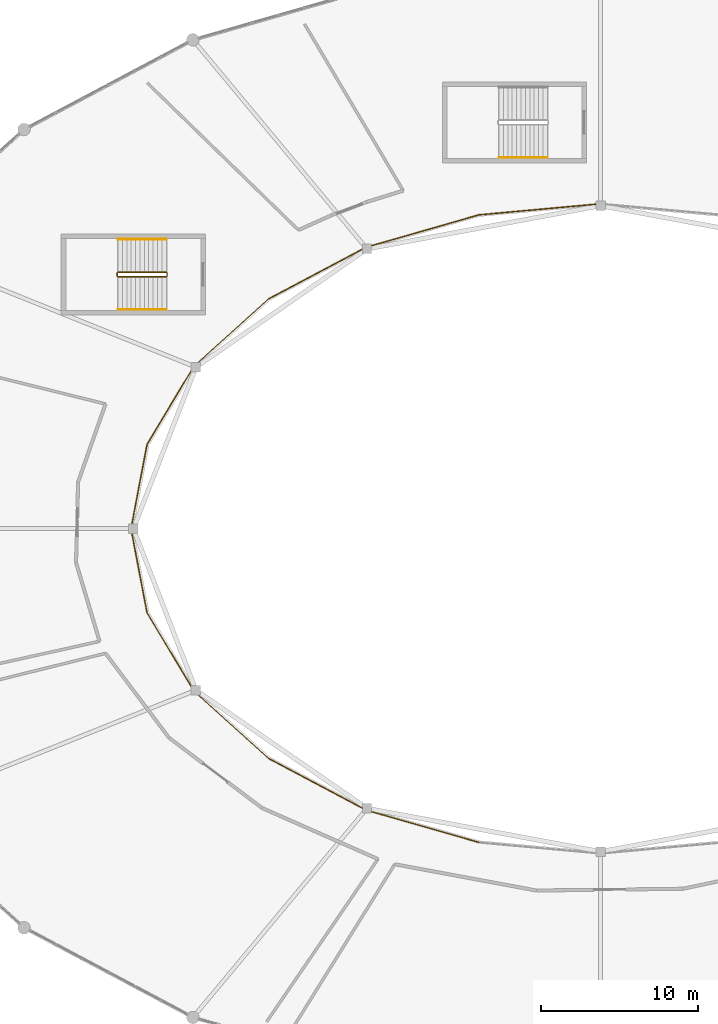
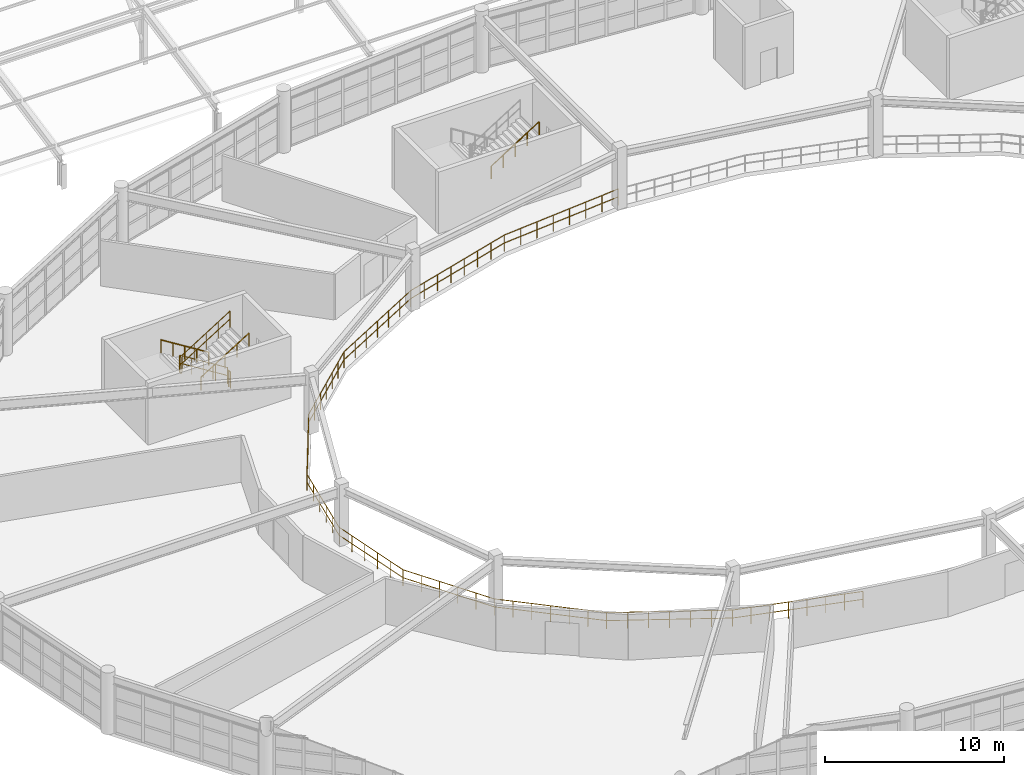
# One storey, part 91 of 100: 18 railings.
"""IFC4 building model written with IfcOpenShell, lengths in metres."""

from ifc_helpers import new_model, si_unit, direction, frame, origin, origin_2d, place, context, subcontext, project, spatial, circle, extrude, material, layer, layer_set, type_object, element, save


model = new_model("IFC4")

# Units and contexts
model_context = context("Model", 3, precision=1e-05, world=origin(), true_north=direction((0.0, 1.0)))
body_context = subcontext(model_context, "Body", "Model", "MODEL_VIEW")
ifc_project = project(units=[si_unit("LENGTHUNIT", "METRE"), si_unit("AREAUNIT", "SQUARE_METRE"), si_unit("VOLUMEUNIT", "CUBIC_METRE"), si_unit("PLANEANGLEUNIT", "RADIAN"), si_unit("MASSUNIT", "GRAM", prefix="KILO")], contexts=[model_context])

# Site, building, storey
site_placement = place(None, origin())
site = spatial("IfcSite", under=ifc_project, at=site_placement, CompositionType="ELEMENT")
building_placement = place(site_placement, origin())
building = spatial("IfcBuilding", under=site, at=building_placement, Name="Kivolera Central Railway Station", CompositionType="ELEMENT")
storey_placement = place(building_placement, frame((0.0, 0.0, 5.39990234375)))
storey = spatial("IfcBuildingStorey", under=building, at=storey_placement, Name="L01", CompositionType="ELEMENT", Elevation=5.39990234375)

# Railings
ifc_material = material(Name="Anodised aluminium", Category="aluminium")
ifc_layer_1 = layer(ifc_material, 0.048095703125, Name="Anodised aluminium")
ifc_layer_set_1 = layer_set([ifc_layer_1], Name="Anodised aluminium")
railing_type_1 = type_object("IfcRailingType", Name="RL-INT-BAL-1130", PredefinedType="BALUSTRADE", material=ifc_layer_set_1)
railing_1_placement = place(storey_placement, frame((64.0, 110.719970703125, 0.0)))
element("IfcRailing", 1, at=railing_1_placement, inside=storey, type_object=railing_type_1, Name="L01 Concourse Gallery Balustrade 07", PredefinedType="BALUSTRADE", context=body_context, shape_type="SweptSolid", body=[
    extrude(circle(Radius=0.02392578125, at=origin_2d()), frame((0.0, 0.0, 1.10595703125), z_axis=(-0.995877766971, -0.090705420197, 0.0), x_axis=(0.090705420197, -0.995877766971, 0.0)), (0.0, 0.0, 1.0), 7.783935546875),
    extrude(circle(Radius=0.02392578125, at=origin_2d()), frame((0.0, 0.0, 0.56494140625), z_axis=(-0.995877766971, -0.090705420197, 0.0), x_axis=(0.090705420197, -0.995877766971, 0.0)), (0.0, 0.0, 1.0), 7.783935546875),
    extrude(circle(Radius=0.02099609375, at=origin_2d()), origin(), (0.0, 0.0, 1.0), 1.081787109375),
    extrude(circle(Radius=0.02099609375, at=origin_2d()), frame((-1.107421875, -0.100830078125, 0.0)), (0.0, 0.0, 1.0), 1.081787109375),
    extrude(circle(Radius=0.02099609375, at=origin_2d()), frame((-2.21484375, -0.20166015625, 0.0)), (0.0, 0.0, 1.0), 1.081787109375),
    extrude(circle(Radius=0.02099609375, at=origin_2d()), frame((-3.322265625, -0.302490234375, 0.0)), (0.0, 0.0, 1.0), 1.081787109375),
    extrude(circle(Radius=0.02099609375, at=origin_2d()), frame((-4.4296875, -0.403564453125, 0.0)), (0.0, 0.0, 1.0), 1.081787109375),
    extrude(circle(Radius=0.02099609375, at=origin_2d()), frame((-5.537109375, -0.50439453125, 0.0)), (0.0, 0.0, 1.0), 1.081787109375),
    extrude(circle(Radius=0.02099609375, at=origin_2d()), frame((-6.64453125, -0.605224609375, 0.0)), (0.0, 0.0, 1.0), 1.081787109375),
    extrude(circle(Radius=0.02099609375, at=origin_2d()), frame((-7.751953125, -0.7060546875, 0.0)), (0.0, 0.0, 1.0), 1.081787109375),
])
railing_2_placement = place(storey_placement, frame((56.248046875, 110.013916015625, 0.0)))
element("IfcRailing", 2, at=railing_2_placement, inside=storey, type_object=railing_type_1, Name="L01 Concourse Gallery Balustrade 08", PredefinedType="BALUSTRADE", context=body_context, shape_type="SweptSolid", body=[
    extrude(circle(Radius=0.02392578125, at=origin_2d()), frame((0.0, 0.0, 1.10595703125), z_axis=(-0.961310313559, -0.275467749556, 0.0), x_axis=(0.275467749556, -0.961310313559, 0.0)), (0.0, 0.0, 1.0), 7.513916015625),
    extrude(circle(Radius=0.02392578125, at=origin_2d()), frame((0.0, 0.0, 0.56494140625), z_axis=(-0.961310313559, -0.275467749556, 0.0), x_axis=(0.275467749556, -0.961310313559, 0.0)), (0.0, 0.0, 1.0), 7.513916015625),
    extrude(circle(Radius=0.02099609375, at=origin_2d()), origin(), (0.0, 0.0, 1.0), 1.081787109375),
    extrude(circle(Radius=0.02099609375, at=origin_2d()), frame((-1.031982421875, -0.295654296875, 0.0)), (0.0, 0.0, 1.0), 1.081787109375),
    extrude(circle(Radius=0.02099609375, at=origin_2d()), frame((-2.063720703125, -0.59130859375, 0.0)), (0.0, 0.0, 1.0), 1.081787109375),
    extrude(circle(Radius=0.02099609375, at=origin_2d()), frame((-3.095703125, -0.886962890625, 0.0)), (0.0, 0.0, 1.0), 1.081787109375),
    extrude(circle(Radius=0.02099609375, at=origin_2d()), frame((-4.12744140625, -1.182861328125, 0.0)), (0.0, 0.0, 1.0), 1.081787109375),
    extrude(circle(Radius=0.02099609375, at=origin_2d()), frame((-5.159423828125, -1.478515625, 0.0)), (0.0, 0.0, 1.0), 1.081787109375),
    extrude(circle(Radius=0.02099609375, at=origin_2d()), frame((-6.191162109375, -1.774169921875, 0.0)), (0.0, 0.0, 1.0), 1.081787109375),
    extrude(circle(Radius=0.02099609375, at=origin_2d()), frame((-7.22314453125, -2.06982421875, 0.0)), (0.0, 0.0, 1.0), 1.081787109375),
])
railing_3_placement = place(storey_placement, frame((49.02490234375, 107.944091796875, 0.0)))
element("IfcRailing", 3, at=railing_3_placement, inside=storey, type_object=railing_type_1, Name="L01 Concourse Gallery Balustrade 09", PredefinedType="BALUSTRADE", context=body_context, shape_type="SweptSolid", body=[
    extrude(circle(Radius=0.02392578125, at=origin_2d()), frame((0.0, 0.0, 1.10595703125), z_axis=(-0.883237666535, -0.468925606482, 0.0), x_axis=(0.468925606482, -0.883237666535, 0.0)), (0.0, 0.0, 1.0), 7.02294921875),
    extrude(circle(Radius=0.02392578125, at=origin_2d()), frame((0.0, 0.0, 0.56494140625), z_axis=(-0.883237666535, -0.468925606482, 0.0), x_axis=(0.468925606482, -0.883237666535, 0.0)), (0.0, 0.0, 1.0), 7.02294921875),
    extrude(circle(Radius=0.02099609375, at=origin_2d()), origin(), (0.0, 0.0, 1.0), 1.081787109375),
    extrude(circle(Radius=0.02099609375, at=origin_2d()), frame((-1.03369140625, -0.548828125, 0.0)), (0.0, 0.0, 1.0), 1.081787109375),
    extrude(circle(Radius=0.02099609375, at=origin_2d()), frame((-2.067626953125, -1.09765625, 0.0)), (0.0, 0.0, 1.0), 1.081787109375),
    extrude(circle(Radius=0.02099609375, at=origin_2d()), frame((-3.1015625, -1.646484375, 0.0)), (0.0, 0.0, 1.0), 1.081787109375),
    extrude(circle(Radius=0.02099609375, at=origin_2d()), frame((-4.13525390625, -2.195556640625, 0.0)), (0.0, 0.0, 1.0), 1.081787109375),
    extrude(circle(Radius=0.02099609375, at=origin_2d()), frame((-5.1689453125, -2.744384765625, 0.0)), (0.0, 0.0, 1.0), 1.081787109375),
    extrude(circle(Radius=0.02099609375, at=origin_2d()), frame((-6.202880859375, -3.293212890625, 0.0)), (0.0, 0.0, 1.0), 1.081787109375),
])
railing_4_placement = place(storey_placement, frame((42.822021484375, 104.65087890625, 0.0)))
element("IfcRailing", 4, at=railing_4_placement, inside=storey, type_object=railing_type_1, Name="L01 Concourse Gallery Balustrade 10", PredefinedType="BALUSTRADE", context=body_context, shape_type="SweptSolid", body=[
    extrude(circle(Radius=0.02392578125, at=origin_2d()), frame((0.0, 0.0, 1.10595703125), z_axis=(-0.742700869482, -0.669623340745, 0.0), x_axis=(0.669623340745, -0.742700869482, 0.0)), (0.0, 0.0, 1.0), 6.40771484375),
    extrude(circle(Radius=0.02392578125, at=origin_2d()), frame((0.0, 0.0, 0.56494140625), z_axis=(-0.742700869482, -0.669623340745, 0.0), x_axis=(0.669623340745, -0.742700869482, 0.0)), (0.0, 0.0, 1.0), 6.40771484375),
    extrude(circle(Radius=0.02099609375, at=origin_2d()), origin(), (0.0, 0.0, 1.0), 1.081787109375),
    extrude(circle(Radius=0.02099609375, at=origin_2d()), frame((-0.793212890625, -0.715087890625, 0.0)), (0.0, 0.0, 1.0), 1.081787109375),
    extrude(circle(Radius=0.02099609375, at=origin_2d()), frame((-1.58642578125, -1.43017578125, 0.0)), (0.0, 0.0, 1.0), 1.081787109375),
    extrude(circle(Radius=0.02099609375, at=origin_2d()), frame((-2.37939453125, -2.1455078125, 0.0)), (0.0, 0.0, 1.0), 1.081787109375),
    extrude(circle(Radius=0.02099609375, at=origin_2d()), frame((-3.172607421875, -2.860595703125, 0.0)), (0.0, 0.0, 1.0), 1.081787109375),
    extrude(circle(Radius=0.02099609375, at=origin_2d()), frame((-3.9658203125, -3.57568359375, 0.0)), (0.0, 0.0, 1.0), 1.081787109375),
    extrude(circle(Radius=0.02099609375, at=origin_2d()), frame((-4.759033203125, -4.290771484375, 0.0)), (0.0, 0.0, 1.0), 1.081787109375),
])
railing_5_placement = place(storey_placement, frame((38.06298828125, 100.360107421875, 0.0)))
element("IfcRailing", 5, at=railing_5_placement, inside=storey, type_object=railing_type_1, Name="L01 Concourse Gallery Balustrade 11", PredefinedType="BALUSTRADE", context=body_context, shape_type="SweptSolid", body=[
    extrude(circle(Radius=0.02392578125, at=origin_2d()), frame((0.0, 0.0, 1.10595703125), z_axis=(-0.513700332444, -0.857969678046, 0.0), x_axis=(0.857969678046, -0.513700332444, 0.0)), (0.0, 0.0, 1.0), 5.82421875),
    extrude(circle(Radius=0.02392578125, at=origin_2d()), frame((0.0, 0.0, 0.56494140625), z_axis=(-0.513700332444, -0.857969678046, 0.0), x_axis=(0.857969678046, -0.513700332444, 0.0)), (0.0, 0.0, 1.0), 5.82421875),
    extrude(circle(Radius=0.02099609375, at=origin_2d()), origin(), (0.0, 0.0, 1.0), 1.081787109375),
    extrude(circle(Radius=0.02099609375, at=origin_2d()), frame((-0.598388671875, -0.99951171875, 0.0)), (0.0, 0.0, 1.0), 1.081787109375),
    extrude(circle(Radius=0.02099609375, at=origin_2d()), frame((-1.19677734375, -1.998779296875, 0.0)), (0.0, 0.0, 1.0), 1.081787109375),
    extrude(circle(Radius=0.02099609375, at=origin_2d()), frame((-1.795166015625, -2.998291015625, 0.0)), (0.0, 0.0, 1.0), 1.081787109375),
    extrude(circle(Radius=0.02099609375, at=origin_2d()), frame((-2.3935546875, -3.99755859375, 0.0)), (0.0, 0.0, 1.0), 1.081787109375),
    extrude(circle(Radius=0.02099609375, at=origin_2d()), frame((-2.991943359375, -4.9970703125, 0.0)), (0.0, 0.0, 1.0), 1.081787109375),
])
railing_6_placement = place(storey_placement, frame((35.071044921875, 95.363037109375, 0.0)))
element("IfcRailing", 6, at=railing_6_placement, inside=storey, type_object=railing_type_1, Name="L01 Concourse Gallery Balustrade 12", PredefinedType="BALUSTRADE", context=body_context, shape_type="SweptSolid", body=[
    extrude(circle(Radius=0.02392578125, at=origin_2d()), frame((0.0, 0.0, 1.10595703125), z_axis=(-0.187017579272, -0.98235656716, 0.0), x_axis=(0.98235656716, -0.187017579272, 0.0)), (0.0, 0.0, 1.0), 5.45947265625),
    extrude(circle(Radius=0.02392578125, at=origin_2d()), frame((0.0, 0.0, 0.56494140625), z_axis=(-0.187017579272, -0.98235656716, 0.0), x_axis=(0.98235656716, -0.187017579272, 0.0)), (0.0, 0.0, 1.0), 5.45947265625),
    extrude(circle(Radius=0.02099609375, at=origin_2d()), origin(), (0.0, 0.0, 1.0), 1.081787109375),
    extrude(circle(Radius=0.02099609375, at=origin_2d()), frame((-0.2041015625, -1.072509765625, 0.0)), (0.0, 0.0, 1.0), 1.081787109375),
    extrude(circle(Radius=0.02099609375, at=origin_2d()), frame((-0.408447265625, -2.145263671875, 0.0)), (0.0, 0.0, 1.0), 1.081787109375),
    extrude(circle(Radius=0.02099609375, at=origin_2d()), frame((-0.612548828125, -3.2177734375, 0.0)), (0.0, 0.0, 1.0), 1.081787109375),
    extrude(circle(Radius=0.02099609375, at=origin_2d()), frame((-0.81689453125, -4.29052734375, 0.0)), (0.0, 0.0, 1.0), 1.081787109375),
    extrude(circle(Radius=0.02099609375, at=origin_2d()), frame((-1.02099609375, -5.363037109375, 0.0)), (0.0, 0.0, 1.0), 1.081787109375),
])
railing_7_placement = place(storey_placement, frame((34.050048828125, 90.0, 0.0)))
element("IfcRailing", 7, at=railing_7_placement, inside=storey, type_object=railing_type_1, Name="L01 Concourse Gallery Balustrade 13", PredefinedType="BALUSTRADE", context=body_context, shape_type="SweptSolid", body=[
    extrude(circle(Radius=0.02392578125, at=origin_2d()), frame((0.0, 0.0, 1.10595703125), z_axis=(0.187017579272, -0.98235656716, 0.0), x_axis=(0.98235656716, 0.187017579272, 0.0)), (0.0, 0.0, 1.0), 5.45947265625),
    extrude(circle(Radius=0.02392578125, at=origin_2d()), frame((0.0, 0.0, 0.56494140625), z_axis=(0.187017579272, -0.98235656716, 0.0), x_axis=(0.98235656716, 0.187017579272, 0.0)), (0.0, 0.0, 1.0), 5.45947265625),
    extrude(circle(Radius=0.02099609375, at=origin_2d()), origin(), (0.0, 0.0, 1.0), 1.081787109375),
    extrude(circle(Radius=0.02099609375, at=origin_2d()), frame((0.2041015625, -1.072509765625, 0.0)), (0.0, 0.0, 1.0), 1.081787109375),
    extrude(circle(Radius=0.02099609375, at=origin_2d()), frame((0.408447265625, -2.145263671875, 0.0)), (0.0, 0.0, 1.0), 1.081787109375),
    extrude(circle(Radius=0.02099609375, at=origin_2d()), frame((0.612548828125, -3.2177734375, 0.0)), (0.0, 0.0, 1.0), 1.081787109375),
    extrude(circle(Radius=0.02099609375, at=origin_2d()), frame((0.81689453125, -4.29052734375, 0.0)), (0.0, 0.0, 1.0), 1.081787109375),
    extrude(circle(Radius=0.02099609375, at=origin_2d()), frame((1.02099609375, -5.363037109375, 0.0)), (0.0, 0.0, 1.0), 1.081787109375),
])
railing_8_placement = place(storey_placement, frame((35.071044921875, 84.636962890625, 0.0)))
element("IfcRailing", 8, at=railing_8_placement, inside=storey, type_object=railing_type_1, Name="L01 Concourse Gallery Balustrade 14", PredefinedType="BALUSTRADE", context=body_context, shape_type="SweptSolid", body=[
    extrude(circle(Radius=0.02392578125, at=origin_2d()), frame((0.0, 0.0, 1.10595703125), z_axis=(0.513700332444, -0.857969678046, 0.0), x_axis=(0.857969678046, 0.513700332444, 0.0)), (0.0, 0.0, 1.0), 5.82421875),
    extrude(circle(Radius=0.02392578125, at=origin_2d()), frame((0.0, 0.0, 0.56494140625), z_axis=(0.513700332444, -0.857969678046, 0.0), x_axis=(0.857969678046, 0.513700332444, 0.0)), (0.0, 0.0, 1.0), 5.82421875),
    extrude(circle(Radius=0.02099609375, at=origin_2d()), origin(), (0.0, 0.0, 1.0), 1.081787109375),
    extrude(circle(Radius=0.02099609375, at=origin_2d()), frame((0.598388671875, -0.99951171875, 0.0)), (0.0, 0.0, 1.0), 1.081787109375),
    extrude(circle(Radius=0.02099609375, at=origin_2d()), frame((1.19677734375, -1.998779296875, 0.0)), (0.0, 0.0, 1.0), 1.081787109375),
    extrude(circle(Radius=0.02099609375, at=origin_2d()), frame((1.795166015625, -2.998291015625, 0.0)), (0.0, 0.0, 1.0), 1.081787109375),
    extrude(circle(Radius=0.02099609375, at=origin_2d()), frame((2.3935546875, -3.99755859375, 0.0)), (0.0, 0.0, 1.0), 1.081787109375),
    extrude(circle(Radius=0.02099609375, at=origin_2d()), frame((2.991943359375, -4.9970703125, 0.0)), (0.0, 0.0, 1.0), 1.081787109375),
])
railing_9_placement = place(storey_placement, frame((38.06298828125, 79.639892578125, 0.0)))
element("IfcRailing", 9, at=railing_9_placement, inside=storey, type_object=railing_type_1, Name="L01 Concourse Gallery Balustrade 15", PredefinedType="BALUSTRADE", context=body_context, shape_type="SweptSolid", body=[
    extrude(circle(Radius=0.02392578125, at=origin_2d()), frame((0.0, 0.0, 1.10595703125), z_axis=(0.742700869482, -0.669623340745, 0.0), x_axis=(0.669623340745, 0.742700869482, 0.0)), (0.0, 0.0, 1.0), 6.40771484375),
    extrude(circle(Radius=0.02392578125, at=origin_2d()), frame((0.0, 0.0, 0.56494140625), z_axis=(0.742700869482, -0.669623340745, 0.0), x_axis=(0.669623340745, 0.742700869482, 0.0)), (0.0, 0.0, 1.0), 6.40771484375),
    extrude(circle(Radius=0.02099609375, at=origin_2d()), origin(), (0.0, 0.0, 1.0), 1.081787109375),
    extrude(circle(Radius=0.02099609375, at=origin_2d()), frame((0.793212890625, -0.715087890625, 0.0)), (0.0, 0.0, 1.0), 1.081787109375),
    extrude(circle(Radius=0.02099609375, at=origin_2d()), frame((1.58642578125, -1.43017578125, 0.0)), (0.0, 0.0, 1.0), 1.081787109375),
    extrude(circle(Radius=0.02099609375, at=origin_2d()), frame((2.37939453125, -2.1455078125, 0.0)), (0.0, 0.0, 1.0), 1.081787109375),
    extrude(circle(Radius=0.02099609375, at=origin_2d()), frame((3.172607421875, -2.860595703125, 0.0)), (0.0, 0.0, 1.0), 1.081787109375),
    extrude(circle(Radius=0.02099609375, at=origin_2d()), frame((3.9658203125, -3.57568359375, 0.0)), (0.0, 0.0, 1.0), 1.081787109375),
    extrude(circle(Radius=0.02099609375, at=origin_2d()), frame((4.759033203125, -4.290771484375, 0.0)), (0.0, 0.0, 1.0), 1.081787109375),
])
railing_10_placement = place(storey_placement, frame((42.822021484375, 75.34912109375, 0.0)))
element("IfcRailing", 10, at=railing_10_placement, inside=storey, type_object=railing_type_1, Name="L01 Concourse Gallery Balustrade 16", PredefinedType="BALUSTRADE", context=body_context, shape_type="SweptSolid", body=[
    extrude(circle(Radius=0.02392578125, at=origin_2d()), frame((0.0, 0.0, 1.10595703125), z_axis=(0.883237666535, -0.468925606482, 0.0), x_axis=(0.468925606482, 0.883237666535, 0.0)), (0.0, 0.0, 1.0), 7.02294921875),
    extrude(circle(Radius=0.02392578125, at=origin_2d()), frame((0.0, 0.0, 0.56494140625), z_axis=(0.883237666535, -0.468925606482, 0.0), x_axis=(0.468925606482, 0.883237666535, 0.0)), (0.0, 0.0, 1.0), 7.02294921875),
    extrude(circle(Radius=0.02099609375, at=origin_2d()), origin(), (0.0, 0.0, 1.0), 1.081787109375),
    extrude(circle(Radius=0.02099609375, at=origin_2d()), frame((1.03369140625, -0.548828125, 0.0)), (0.0, 0.0, 1.0), 1.081787109375),
    extrude(circle(Radius=0.02099609375, at=origin_2d()), frame((2.067626953125, -1.09765625, 0.0)), (0.0, 0.0, 1.0), 1.081787109375),
    extrude(circle(Radius=0.02099609375, at=origin_2d()), frame((3.1015625, -1.646484375, 0.0)), (0.0, 0.0, 1.0), 1.081787109375),
    extrude(circle(Radius=0.02099609375, at=origin_2d()), frame((4.13525390625, -2.195556640625, 0.0)), (0.0, 0.0, 1.0), 1.081787109375),
    extrude(circle(Radius=0.02099609375, at=origin_2d()), frame((5.1689453125, -2.744384765625, 0.0)), (0.0, 0.0, 1.0), 1.081787109375),
    extrude(circle(Radius=0.02099609375, at=origin_2d()), frame((6.202880859375, -3.293212890625, 0.0)), (0.0, 0.0, 1.0), 1.081787109375),
])
railing_11_placement = place(storey_placement, frame((49.02490234375, 72.055908203125, 0.0)))
element("IfcRailing", 11, at=railing_11_placement, inside=storey, type_object=railing_type_1, Name="L01 Concourse Gallery Balustrade 17", PredefinedType="BALUSTRADE", context=body_context, shape_type="SweptSolid", body=[
    extrude(circle(Radius=0.02392578125, at=origin_2d()), frame((0.0, 0.0, 1.10595703125), z_axis=(0.961310313559, -0.275467749556, 0.0), x_axis=(0.275467749556, 0.961310313559, 0.0)), (0.0, 0.0, 1.0), 7.513916015625),
    extrude(circle(Radius=0.02392578125, at=origin_2d()), frame((0.0, 0.0, 0.56494140625), z_axis=(0.961310313559, -0.275467749556, 0.0), x_axis=(0.275467749556, 0.961310313559, 0.0)), (0.0, 0.0, 1.0), 7.513916015625),
    extrude(circle(Radius=0.02099609375, at=origin_2d()), origin(), (0.0, 0.0, 1.0), 1.081787109375),
    extrude(circle(Radius=0.02099609375, at=origin_2d()), frame((1.031982421875, -0.295654296875, 0.0)), (0.0, 0.0, 1.0), 1.081787109375),
    extrude(circle(Radius=0.02099609375, at=origin_2d()), frame((2.063720703125, -0.59130859375, 0.0)), (0.0, 0.0, 1.0), 1.081787109375),
    extrude(circle(Radius=0.02099609375, at=origin_2d()), frame((3.095703125, -0.886962890625, 0.0)), (0.0, 0.0, 1.0), 1.081787109375),
    extrude(circle(Radius=0.02099609375, at=origin_2d()), frame((4.12744140625, -1.182861328125, 0.0)), (0.0, 0.0, 1.0), 1.081787109375),
    extrude(circle(Radius=0.02099609375, at=origin_2d()), frame((5.159423828125, -1.478515625, 0.0)), (0.0, 0.0, 1.0), 1.081787109375),
    extrude(circle(Radius=0.02099609375, at=origin_2d()), frame((6.191162109375, -1.774169921875, 0.0)), (0.0, 0.0, 1.0), 1.081787109375),
    extrude(circle(Radius=0.02099609375, at=origin_2d()), frame((7.22314453125, -2.06982421875, 0.0)), (0.0, 0.0, 1.0), 1.081787109375),
])
ifc_layer_2 = layer(ifc_material, 0.048095703125, Name="Anodised aluminium")
ifc_layer_set_2 = layer_set([ifc_layer_2], Name="Anodised aluminium")
railing_type_2 = type_object("IfcRailingType", Name="RL-STAIR-GUARD", PredefinedType="GUARDRAIL", material=ifc_layer_set_2)
railing_12_placement = place(storey_placement, frame((36.300048828125, 106.35009765625, 0.175048828125)))
element("IfcRailing", 12, at=railing_12_placement, inside=storey, type_object=railing_type_2, Name="L01 ST6 stair guard 1", PredefinedType="GUARDRAIL", context=body_context, shape_type="SweptSolid", body=[
    extrude(circle(Radius=0.02392578125, at=origin_2d()), frame((0.0, 0.0, 1.10595703125), z_axis=(-0.847998304005, 0.0, 0.529998940003), x_axis=(0.0, -1.0, 0.0)), (0.0, 0.0, 1.0), 3.632080078125),
    extrude(circle(Radius=0.02392578125, at=origin_2d()), frame((0.0, 0.0, 0.56494140625), z_axis=(-0.847998304005, 0.0, 0.529998940003), x_axis=(0.0, -1.0, 0.0)), (0.0, 0.0, 1.0), 3.632080078125),
    extrude(circle(Radius=0.02099609375, at=origin_2d()), origin(), (0.0, 0.0, 1.0), 1.081787109375),
    extrude(circle(Radius=0.02099609375, at=origin_2d()), frame((-0.77001953125, 0.0, 0.481201171875)), (0.0, 0.0, 1.0), 1.081787109375),
    extrude(circle(Radius=0.02099609375, at=origin_2d()), frame((-1.5400390625, 0.0, 0.96240234375)), (0.0, 0.0, 1.0), 1.081787109375),
    extrude(circle(Radius=0.02099609375, at=origin_2d()), frame((-2.31005859375, 0.0, 1.44384765625)), (0.0, 0.0, 1.0), 1.081787109375),
    extrude(circle(Radius=0.02099609375, at=origin_2d()), frame((-3.080078125, 0.0, 1.925048828125)), (0.0, 0.0, 1.0), 1.081787109375),
])
railing_13_placement = place(storey_placement, frame((33.169921875, 106.300048828125, 2.10009765625)))
element("IfcRailing", 13, at=railing_13_placement, inside=storey, type_object=railing_type_2, Name="L01 ST6 stair guard 2", PredefinedType="GUARDRAIL", context=body_context, shape_type="SweptSolid", body=[
    extrude(circle(Radius=0.02392578125, at=origin_2d()), frame((0.0, 0.0, 1.10595703125), z_axis=(0.0, -1.0, 0.0), x_axis=(1.0, 0.0, 0.0)), (0.0, 0.0, 1.0), 0.179931640625),
    extrude(circle(Radius=0.02392578125, at=origin_2d()), frame((0.0, 0.0, 0.56494140625), z_axis=(0.0, -1.0, 0.0), x_axis=(1.0, 0.0, 0.0)), (0.0, 0.0, 1.0), 0.179931640625),
    extrude(circle(Radius=0.02099609375, at=origin_2d()), origin(), (0.0, 0.0, 1.0), 1.081787109375),
    extrude(circle(Radius=0.02099609375, at=origin_2d()), frame((0.0, -0.179931640625, 0.0)), (0.0, 0.0, 1.0), 1.081787109375),
])
railing_14_placement = place(storey_placement, frame((33.219970703125, 106.070068359375, 2.275146484375)))
element("IfcRailing", 14, at=railing_14_placement, inside=storey, type_object=railing_type_2, Name="L01 ST6 stair guard 3", PredefinedType="GUARDRAIL", context=body_context, shape_type="SweptSolid", body=[
    extrude(circle(Radius=0.02392578125, at=origin_2d()), frame((0.0, 0.0, 1.10595703125), z_axis=(0.847998304005, 0.0, 0.529998940003), x_axis=(0.0, 1.0, 0.0)), (0.0, 0.0, 1.0), 3.632080078125),
    extrude(circle(Radius=0.02392578125, at=origin_2d()), frame((0.0, 0.0, 0.56494140625), z_axis=(0.847998304005, 0.0, 0.529998940003), x_axis=(0.0, 1.0, 0.0)), (0.0, 0.0, 1.0), 3.632080078125),
    extrude(circle(Radius=0.02099609375, at=origin_2d()), origin(), (0.0, 0.0, 1.0), 1.081787109375),
    extrude(circle(Radius=0.02099609375, at=origin_2d()), frame((0.77001953125, 0.0, 0.481201171875)), (0.0, 0.0, 1.0), 1.081787109375),
    extrude(circle(Radius=0.02099609375, at=origin_2d()), frame((1.5400390625, 0.0, 0.96240234375)), (0.0, 0.0, 1.0), 1.081787109375),
    extrude(circle(Radius=0.02099609375, at=origin_2d()), frame((2.31005859375, 0.0, 1.44384765625)), (0.0, 0.0, 1.0), 1.081787109375),
    extrude(circle(Radius=0.02099609375, at=origin_2d()), frame((3.080078125, 0.0, 1.925048828125)), (0.0, 0.0, 1.0), 1.081787109375),
])
railing_15_placement = place(storey_placement, frame((36.35009765625, 106.300048828125, 0.0)))
element("IfcRailing", 15, at=railing_15_placement, inside=storey, type_object=railing_type_2, Name="L01 ST6 stair guard 4", PredefinedType="GUARDRAIL", context=body_context, shape_type="SweptSolid", body=[
    extrude(circle(Radius=0.02392578125, at=origin_2d()), frame((0.0, 0.0, 1.10595703125), z_axis=(0.0, -1.0, 0.0), x_axis=(1.0, 0.0, 0.0)), (0.0, 0.0, 1.0), 0.179931640625),
    extrude(circle(Radius=0.02392578125, at=origin_2d()), frame((0.0, 0.0, 0.56494140625), z_axis=(0.0, -1.0, 0.0), x_axis=(1.0, 0.0, 0.0)), (0.0, 0.0, 1.0), 0.179931640625),
    extrude(circle(Radius=0.02099609375, at=origin_2d()), origin(), (0.0, 0.0, 1.0), 1.081787109375),
    extrude(circle(Radius=0.02099609375, at=origin_2d()), frame((0.0, -0.179931640625, 0.0)), (0.0, 0.0, 1.0), 1.081787109375),
])
ifc_layer_3 = layer(ifc_material, 0.048095703125, Name="Anodised aluminium")
ifc_layer_set_3 = layer_set([ifc_layer_3], Name="Anodised aluminium")
railing_type_3 = type_object("IfcRailingType", Name="RL-STAIR-HAND", PredefinedType="HANDRAIL", material=ifc_layer_set_3)
railing_16_placement = place(storey_placement, frame((57.52001953125, 113.669921875, 2.275146484375)))
element("IfcRailing", 16, at=railing_16_placement, inside=storey, type_object=railing_type_3, Name="L01 ST5 stair handrail 2", PredefinedType="HANDRAIL", context=body_context, shape_type="SweptSolid", body=[
    extrude(circle(Radius=0.02392578125, at=origin_2d()), frame((0.0, 0.0, 0.8759765625), z_axis=(0.847998304005, 0.0, 0.529998940003), x_axis=(0.0, 1.0, 0.0)), (0.0, 0.0, 1.0), 3.632080078125),
    extrude(circle(Radius=0.02099609375, at=origin_2d()), origin(), (0.0, 0.0, 1.0), 0.851806640625),
    extrude(circle(Radius=0.02099609375, at=origin_2d()), frame((0.77001953125, 0.0, 0.481201171875)), (0.0, 0.0, 1.0), 0.851806640625),
    extrude(circle(Radius=0.02099609375, at=origin_2d()), frame((1.5400390625, 0.0, 0.96240234375)), (0.0, 0.0, 1.0), 0.851806640625),
    extrude(circle(Radius=0.02099609375, at=origin_2d()), frame((2.31005859375, 0.0, 1.44384765625)), (0.0, 0.0, 1.0), 0.851806640625),
    extrude(circle(Radius=0.02099609375, at=origin_2d()), frame((3.080078125, 0.0, 1.925048828125)), (0.0, 0.0, 1.0), 0.851806640625),
])
railing_17_placement = place(storey_placement, frame((36.300048828125, 108.449951171875, 0.175048828125)))
element("IfcRailing", 17, at=railing_17_placement, inside=storey, type_object=railing_type_3, Name="L01 ST6 stair handrail 1", PredefinedType="HANDRAIL", context=body_context, shape_type="SweptSolid", body=[
    extrude(circle(Radius=0.02392578125, at=origin_2d()), frame((0.0, 0.0, 0.8759765625), z_axis=(-0.847998304005, 0.0, 0.529998940003), x_axis=(0.0, -1.0, 0.0)), (0.0, 0.0, 1.0), 3.632080078125),
    extrude(circle(Radius=0.02099609375, at=origin_2d()), origin(), (0.0, 0.0, 1.0), 0.851806640625),
    extrude(circle(Radius=0.02099609375, at=origin_2d()), frame((-0.77001953125, 0.0, 0.481201171875)), (0.0, 0.0, 1.0), 0.851806640625),
    extrude(circle(Radius=0.02099609375, at=origin_2d()), frame((-1.5400390625, 0.0, 0.96240234375)), (0.0, 0.0, 1.0), 0.851806640625),
    extrude(circle(Radius=0.02099609375, at=origin_2d()), frame((-2.31005859375, 0.0, 1.44384765625)), (0.0, 0.0, 1.0), 0.851806640625),
    extrude(circle(Radius=0.02099609375, at=origin_2d()), frame((-3.080078125, 0.0, 1.925048828125)), (0.0, 0.0, 1.0), 0.851806640625),
])
railing_18_placement = place(storey_placement, frame((33.219970703125, 103.969970703125, 2.275146484375)))
element("IfcRailing", 18, at=railing_18_placement, inside=storey, type_object=railing_type_3, Name="L01 ST6 stair handrail 2", PredefinedType="HANDRAIL", context=body_context, shape_type="SweptSolid", body=[
    extrude(circle(Radius=0.02392578125, at=origin_2d()), frame((0.0, 0.0, 0.8759765625), z_axis=(0.847998304005, 0.0, 0.529998940003), x_axis=(0.0, 1.0, 0.0)), (0.0, 0.0, 1.0), 3.632080078125),
    extrude(circle(Radius=0.02099609375, at=origin_2d()), origin(), (0.0, 0.0, 1.0), 0.851806640625),
    extrude(circle(Radius=0.02099609375, at=origin_2d()), frame((0.77001953125, 0.0, 0.481201171875)), (0.0, 0.0, 1.0), 0.851806640625),
    extrude(circle(Radius=0.02099609375, at=origin_2d()), frame((1.5400390625, 0.0, 0.96240234375)), (0.0, 0.0, 1.0), 0.851806640625),
    extrude(circle(Radius=0.02099609375, at=origin_2d()), frame((2.31005859375, 0.0, 1.44384765625)), (0.0, 0.0, 1.0), 0.851806640625),
    extrude(circle(Radius=0.02099609375, at=origin_2d()), frame((3.080078125, 0.0, 1.925048828125)), (0.0, 0.0, 1.0), 0.851806640625),
])

save(model, "model.ifc")
